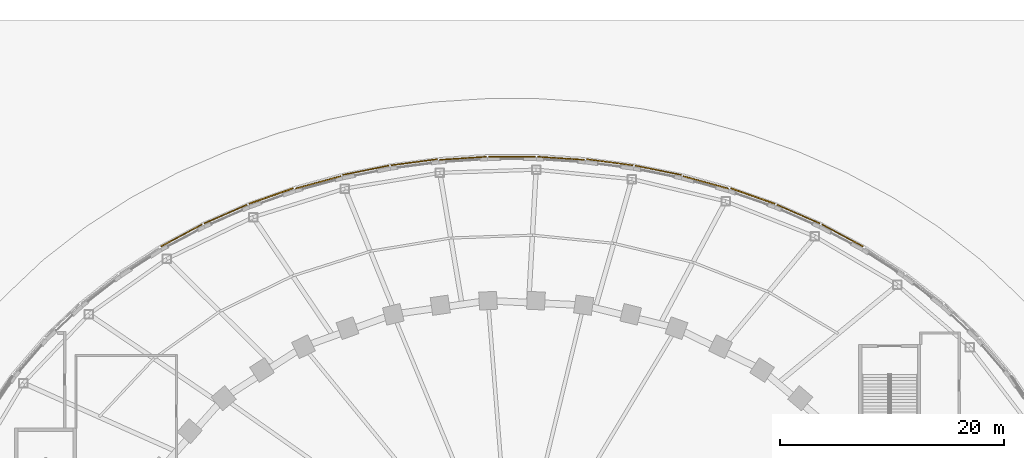
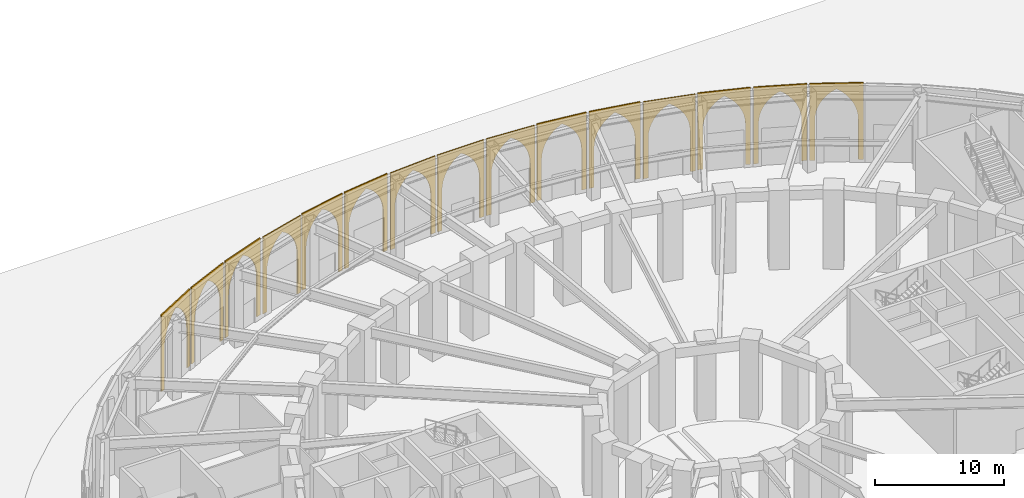
# One storey, part 76 of 79: 15 coverings.
"""IFC4 building model written with IfcOpenShell, lengths in metres."""

from ifc_helpers import new_model, si_unit, direction, frame, origin, place, context, subcontext, project, spatial, polyline, outline, extrude, material, layer, layer_set, type_object, element, save


model = new_model("IFC4")

# Units and contexts
model_context = context("Model", 3, precision=1e-05, world=origin(), true_north=direction((0.0, 1.0)))
body_context = subcontext(model_context, "Body", "Model", "MODEL_VIEW")
ifc_project = project(units=[si_unit("LENGTHUNIT", "METRE"), si_unit("AREAUNIT", "SQUARE_METRE"), si_unit("VOLUMEUNIT", "CUBIC_METRE"), si_unit("PLANEANGLEUNIT", "RADIAN"), si_unit("MASSUNIT", "GRAM", prefix="KILO")], contexts=[model_context])

# Site, building, storey
site_placement = place(None, origin())
site = spatial("IfcSite", under=ifc_project, at=site_placement, CompositionType="ELEMENT")
building_placement = place(site_placement, origin())
building = spatial("IfcBuilding", under=site, at=building_placement, Name="Noorbagh Ring Tower", CompositionType="ELEMENT")
storey_placement = place(building_placement, origin())
storey = spatial("IfcBuildingStorey", under=building, at=storey_placement, Name="L00", CompositionType="ELEMENT", Elevation=0.0)

# Coverings
ifc_material = material(Name="Red sandstone cladding", Category="masonry")
ifc_layer = layer(ifc_material, 0.10009765625)
ifc_layer_set = layer_set([ifc_layer], Name="Red sandstone cladding")
covering_type = type_object("IfcCoveringType", Name="STY-SPANDREL", PredefinedType="USERDEFINED", material=ifc_layer_set)
covering_1_placement = place(storey_placement, frame((31.381103515625, 31.71630859375, 0.0), z_axis=(-0.470845477426, -0.882215697055, 1.6049794e-05), x_axis=(-0.882215697168, 0.470845477487, -1.797e-09)))
element("IfcCovering", 1, at=covering_1_placement, inside=storey, type_object=covering_type, Name="Arch spandrel", ObjectType="ARCH", PredefinedType="USERDEFINED", context=body_context, shape_type="SweptSolid", body=[
    extrude(outline(polyline([(0.0, 0.0), (0.3998592640504345, -4.235164736271502e-22), (0.3998592572204401, -3.8000488276355613), (0.42891198957159066, -4.239013671245288), (0.5146484072297955, -4.67089843541508), (0.6560920189340561, -5.087402342817229), (0.8506146474156457, -5.482177733061225), (1.0952722985329229, -5.848144531027894), (1.3853688599561726, -6.178955080712083), (1.7163086515369037, -6.4689941426818836), (2.0822036849747194, -6.713623051072718), (2.4479837667827473, -6.468994143569481), (2.77903851191523, -6.17895508407108), (3.0691350745276407, -5.848144540090485), (3.313677774451302, -5.48217774094434), (3.508315356861138, -5.087402353497114), (3.649644017553448, -4.670898445049466), (3.735495389273296, -4.239013681537597), (3.7642177860015447, -3.8000488361478895), (3.764217792831539, -8.51232798832941e-09), (4.164407394082817, -1.012483756228621e-08), (4.164407381052074, -7.250000009191052), (-1.3030742923862515e-08, -7.2499999990662145), (0.0, 0.0)])), origin(), (0.0, 0.0, -1.0), 0.10009765625),
])
covering_2_placement = place(storey_placement, frame((27.510009765625, 33.77294921875, 0.0), z_axis=(-0.400515312206, -0.916290064662, 4.5723026e-05), x_axis=(-0.91629006562, 0.400515312624, -1.3606e-08)))
element("IfcCovering", 2, at=covering_2_placement, inside=storey, type_object=covering_type, Name="Arch spandrel", ObjectType="ARCH", PredefinedType="USERDEFINED", context=body_context, shape_type="SweptSolid", body=[
    extrude(outline(polyline([(0.0, 0.0), (0.40014788174863675, 0.0), (0.40014783004618554, -3.800048824152818), (0.42890357279275676, -4.2395019469635296), (0.5149471094676277, -4.671142570790398), (0.6561954649531542, -5.088134763194141), (0.8512367750262404, -5.48315429708244), (1.095807307303166, -5.849121094215106), (1.3859648150683277, -6.180419925862303), (1.7171240802399919, -6.470703129896183), (2.083259880881938, -6.715087904514719), (2.4492979061152056, -6.470703138164426), (2.7802334755566003, -6.180419941023019), (3.070614695966191, -5.849121112644979), (3.3152830202603556, -5.48315432702247), (3.5100028553944544, -5.088134793474707), (3.651698629485554, -4.671142602814515), (3.7375184742766976, -4.2395019820116175), (3.766274228981433, -3.8000488557410477), (3.7662742806838843, -3.158822990312793e-08), (4.166296240861966, -4.6285815097384846e-08), (4.166296142220399, -7.250000038707407), (-9.864156706906743e-08, -7.249999992421592), (0.0, 0.0)])), origin(), (0.0, 0.0, -1.0), 0.10009765625),
])
covering_3_placement = place(storey_placement, frame((23.489013671875, 35.521240234375, 0.0), z_axis=(-0.331354215224, -0.943506430319, 6.42242e-07), x_axis=(-0.943506430319, 0.331354215224, 2e-11)))
element("IfcCovering", 3, at=covering_3_placement, inside=storey, type_object=covering_type, Name="Arch spandrel", ObjectType="ARCH", PredefinedType="USERDEFINED", context=body_context, shape_type="SweptSolid", body=[
    extrude(outline(polyline([(0.0, 0.0), (0.40004547854975436, -1.3234889800848443e-23), (0.400045478624784, -3.800048828124216), (0.42876911832075176, -4.239501953126134), (0.5147096891415673, -4.6716308594340346), (0.65647275876353, -5.088867187488903), (0.8512818053654059, -5.483886718668488), (1.0958187136015953, -5.850097656181522), (1.3864541228517178, -6.181396484390757), (1.7176226466474604, -6.471679687430916), (2.084001589596148, -6.716552734255532), (2.4501501842855764, -6.47167968738221), (2.781318708069856, -6.181396484172487), (3.0717237690573063, -5.850097656183819), (3.316491025528624, -5.483886718645044), (3.511530420364491, -5.088867187272833), (3.653063141720388, -4.671630859129834), (3.739003712524139, -4.239501952937911), (3.7677273522027535, -3.800048827940012), (3.7677273521277237, 1.842043785733247e-10), (4.167772830677478, 1.842043785733247e-10), (4.167772830820625, -7.2499999998143), (1.4314678546260145e-10, -7.249999999998504), (0.0, 0.0)])), origin(), (0.0, 0.0, -1.0), 0.10009765625),
])
covering_4_placement = place(storey_placement, frame((19.348876953125, 36.966796875, 0.0), z_axis=(0.26341009615, 0.964683948886, 2.84788e-06), x_axis=(-0.96468394889, 0.263410096151, -5.08e-10)))
element("IfcCovering", 4, at=covering_4_placement, inside=storey, type_object=covering_type, Name="Arch spandrel", ObjectType="ARCH", PredefinedType="USERDEFINED", context=body_context, shape_type="SweptSolid", body=[
    extrude(outline(polyline([(0.0, 0.0), (0.4001363488115454, 0.0), (0.400136346882776, 3.80004882810959), (0.4287435241999418, 4.2397460936500835), (0.5147362660382098, 4.67211914112912), (0.6564659426062031, 5.089111328638883), (0.8513844411684086, 5.484619140733844), (1.0961084751525407, 5.850830078385079), (1.3868480300062858, 6.182128907151433), (1.7181644613818634, 6.472900391308899), (2.0845974070516813, 6.717529297999523), (2.450794834427619, 6.472900392008866), (2.782346784640577, 6.182128907601957), (3.0728508212884234, 5.850830079937734), (3.3176391647498127, 5.484619141921243), (3.5124933546080035, 5.089111329690106), (3.6541587224937917, 4.672119142873948), (3.7402157738764803, 4.239746095935795), (3.7691227792877102, 3.800048829742423), (3.76912278121648, 1.6328328666932154e-09), (4.16895930238031, 2.1202646577636204e-09), (4.168959298700469, 7.250000002090864), (-3.679841729121868e-09, 7.2499999999705995), (0.0, 0.0)])), origin(), (0.0, 0.0, -1.0), 0.10009765625),
])
covering_5_placement = place(storey_placement, frame((15.115966796875, 38.114990234375, 0.0), z_axis=(-0.19663082923, -0.980477595131, 4.9424863e-05), x_axis=(-0.980477596328, 0.19663082947, -8.201e-09)))
element("IfcCovering", 5, at=covering_5_placement, inside=storey, type_object=covering_type, Name="Arch spandrel", ObjectType="ARCH", PredefinedType="USERDEFINED", context=body_context, shape_type="SweptSolid", body=[
    extrude(outline(polyline([(0.0, 0.0), (0.40013247665749446, 4.235164736271502e-22), (0.40013244549221333, -3.800048823483588), (0.4290040020042229, -4.239990226317525), (0.514900555580995, -4.672119130515695), (0.6565772286391616, -5.089599598608531), (0.8515442659619292, -5.484863271274455), (1.0963064090982306, -5.8513183493420735), (1.3871290251798276, -6.182861317260103), (1.7185538548727175, -6.473388664240758), (2.0850746332552816, -6.718505852037728), (2.451595415658397, -6.473388665433474), (2.7830202501166816, -6.1828613256238345), (3.073603497223269, -5.851318359222468), (3.3183656463703746, -5.484863281935269), (3.5135720645896478, -5.089599609446044), (3.6552487444955672, -4.672119141058709), (3.7411453051603636, -4.239990233812489), (3.770016868888542, -3.8000488252211237), (3.770016900053823, -1.7375358715162421e-09), (4.169958007871752, -1.5939682889123583e-08), (4.16995794841244, -7.250000007084471), (-5.94593118272898e-08, -7.249999991144788), (0.0, 0.0)])), origin(), (0.0, 0.0, -1.0), 0.10009765625),
])
covering_6_placement = place(storey_placement, frame((10.813720703125, 38.969970703125, 0.0), z_axis=(-0.130543374072, -0.991442599022, 1.8168426e-05), x_axis=(-0.991442599186, 0.130543374094, 3.96e-10)))
element("IfcCovering", 6, at=covering_6_placement, inside=storey, type_object=covering_type, Name="Arch spandrel", ObjectType="ARCH", PredefinedType="USERDEFINED", context=body_context, shape_type="SweptSolid", body=[
    extrude(outline(polyline([(0.0, 0.0), (0.40015393206370253, 2.117582368135751e-22), (0.40015393356889783, -3.800048827497818), (0.4289520135078409, -4.239990231880954), (0.5148940210824587, -4.672363278857794), (0.6567378282698252, -5.089843748177569), (0.8515150761953555, -5.485107419245815), (1.096531328341609, -5.851806637786448), (1.3873340463984494, -6.183349604157048), (1.7188082796905582, -6.474121091747812), (2.0854695423632297, -6.718994138187282), (2.4518887534260965, -6.474121091536723), (2.783331115546915, -6.183349606075789), (3.073891781925291, -5.851806635634968), (3.3189399047219874, -5.485107421194327), (3.513959203750207, -5.089843748063906), (3.6558030106068466, -4.672363280021488), (3.7417450178389395, -4.23999023339105), (3.770543097429362, -3.8000488254194065), (3.7705430959241664, 2.0784115377448843e-09), (4.170454976572052, 1.4992708228018815e-09), (4.170454979443769, -7.249999997304148), (2.8717173427282656e-09, -7.2499999988034185), (0.0, 0.0)])), origin(), (0.0, 0.0, -1.0), 0.10009765625),
])
covering_7_placement = place(storey_placement, frame((6.463623046875, 39.535400390625, 0.0), z_axis=(0.065208271741, 0.997871675056, 3.7652784e-05), x_axis=(-0.997871675763, 0.065208271787, -3.602e-09)))
element("IfcCovering", 7, at=covering_7_placement, inside=storey, type_object=covering_type, Name="Arch spandrel", ObjectType="ARCH", PredefinedType="USERDEFINED", context=body_context, shape_type="SweptSolid", body=[
    extrude(outline(polyline([(0.0, 0.0), (0.4000237975962206, -2.117582368135751e-22), (0.40002378390840937, 3.8000488254312743), (0.42889842195126543, 4.2399902288223075), (0.5150191772590306, 4.672363275721825), (0.6566807027550726, 5.090087883807679), (0.8516744893479876, 5.4853515568555755), (1.0965739228672622, 5.852050780013461), (1.3874810671031896, 6.183593746806058), (1.7189884997903147, 6.474365237174397), (2.08549293761152, 6.719238284189996), (2.4522409982113853, 6.474365238403068), (2.7837484329932334, 6.183593760433642), (3.074411958603012, 5.85205078959597), (3.3193113947639947, 5.485351575773737), (3.514305184204397, 5.090087905632012), (3.6562103337243252, 4.6723632961603965), (3.7420874711323235, 4.239990249322593), (3.7709461923562957, 3.8000488500102976), (3.770946206044107, 2.457902320732442e-08), (4.170970003640328, 2.4579023207326112e-08), (4.17096997752576, 7.250000019439744), (-2.6114567458182038e-08, 7.249999994860721), (0.0, 0.0)])), origin(), (0.0, 0.0, -1.0), 0.10009765625),
])
covering_8_placement = place(storey_placement, frame((2.08544921875, 39.814208984375, 0.0), z_axis=(0.0, 1.0, 0.0), x_axis=(-1.0, 0.0, 0.0)))
element("IfcCovering", 8, at=covering_8_placement, inside=storey, type_object=covering_type, Name="Arch spandrel", ObjectType="ARCH", PredefinedType="USERDEFINED", context=body_context, shape_type="SweptSolid", body=[
    extrude(outline(polyline([(0.0, 0.0), (0.39990234375, 0.0), (0.39990234375, 3.800048828125), (0.4287109375, 4.239990234375), (0.514892578125, 4.672607421875), (0.656494140625, 5.090087890625), (0.8515625, 5.485595703125), (1.096435546875, 5.85205078125), (1.38720703125, 6.18359375), (1.71875, 6.474365234375), (2.08544921875, 6.719482421875), (2.4521484375, 6.474365234375), (2.78369140625, 6.18359375), (3.074462890625, 5.85205078125), (3.3193359375, 5.485595703125), (3.514404296875, 5.090087890625), (3.656005859375, 4.672607421875), (3.7421875, 4.239990234375), (3.77099609375, 3.800048828125), (3.77099609375, 0.0), (4.1708984375, 0.0), (4.1708984375, 7.25), (0.0, 7.25), (0.0, 0.0)])), origin(), (0.0, 0.0, -1.0), 0.10009765625),
])
covering_9_placement = place(storey_placement, frame((-2.301513671875, 39.80712890625, 0.0), z_axis=(-0.065208271741, 0.997871675056, 3.7652784e-05), x_axis=(-0.997871675763, -0.065208271787, 3.602e-09)))
element("IfcCovering", 9, at=covering_9_placement, inside=storey, type_object=covering_type, Name="Arch spandrel", ObjectType="ARCH", PredefinedType="USERDEFINED", context=body_context, shape_type="SweptSolid", body=[
    extrude(outline(polyline([(0.0, 0.0), (0.4000237975962206, 2.117582368135751e-22), (0.4000238112840318, 3.8000488254312743), (0.42888253250800473, 4.23999022474357), (0.5147596699160027, 4.672363271581373), (0.6566648194359314, 5.090087881052988), (0.851658608876333, 5.4853515511947135), (1.0965580450373156, 5.852050765016947), (1.3872215706470943, 6.183593735854619), (1.7187290054289424, 6.474365213824044), (2.0854770660288082, 6.7192382596109725), (2.4519815038500132, 6.474365212595374), (2.7834889365371382, 6.183593722227035), (3.074396080773066, 5.852050755434438), (3.3192955142923406, 5.485351532276552), (3.5142893008852556, 5.090087859228656), (3.6559508263812974, 4.6723632511428015), (3.7420715816890624, 4.239990204243284), (3.7709462197319183, 3.800048800852251), (3.770946206044107, -2.457902320732442e-08), (4.170970003640328, -2.4579023207326112e-08), (4.170970029754895, 7.2499999702816975), (2.6114567458182038e-08, 7.249999994860721), (0.0, 0.0)])), origin(), (0.0, 0.0, -1.0), 0.10009765625),
])
covering_10_placement = place(storey_placement, frame((-6.678955078125, 39.514404296875, 0.0), z_axis=(0.130543374072, -0.991442599022, 1.8168426e-05), x_axis=(-0.991442599186, -0.130543374094, -1.844e-09)))
element("IfcCovering", 10, at=covering_10_placement, inside=storey, type_object=covering_type, Name="Arch spandrel", ObjectType="ARCH", PredefinedType="USERDEFINED", context=body_context, shape_type="SweptSolid", body=[
    extrude(outline(polyline([(0.0, 0.0), (0.39991188064788574, -1.0587911840678754e-22), (0.3999118736395706, -3.800048827497818), (0.42870995259288264, -4.239990235511166), (0.5146519591988254, -4.672363282266062), (0.6564957654508817, -5.089843750513895), (0.8515150639066924, -5.485107423926737), (1.0965631861723455, -5.85180663872225), (1.3871238520705909, -6.1833496095838525), (1.7185662137703228, -6.474121095524771), (2.0849854244785715, -6.718994142705968), (2.4516466875058605, -6.474121096797486), (2.7831209212190564, -6.183349609686752), (3.0739236397560274, -5.851806643737286), (3.3189398924333244, -5.485107425551479), (3.5137171409312637, -5.089843754765302), (3.6555609487232137, -4.672363285650941), (3.7415029569239815, -4.23999023879856), (3.7703010375000345, -3.800048834457129), (3.77030104450835, -6.959310766933372e-09), (4.170454976572052, -7.538802013674786e-09), (4.170454963201096, -7.25000000634222), (-1.337095576457789e-08, -7.2499999988034185), (0.0, 0.0)])), origin(), (0.0, 0.0, -1.0), 0.10009765625),
])
covering_11_placement = place(storey_placement, frame((-11.02734375, 38.9345703125, 0.0), z_axis=(0.19663082923, -0.980477595131, 4.9424863e-05), x_axis=(-0.980477596328, -0.196630829472, -2.7309e-08)))
element("IfcCovering", 11, at=covering_11_placement, inside=storey, type_object=covering_type, Name="Arch spandrel", ObjectType="ARCH", PredefinedType="USERDEFINED", context=body_context, shape_type="SweptSolid", body=[
    extrude(outline(polyline([(0.0, 0.0), (0.39994110781792974, 8.470329472543003e-22), (0.39994100404121313, -3.800048823483586), (0.4288125521468103, -4.239990233100198), (0.5147090974664517, -4.672119143396655), (0.6563857625473899, -5.089599616815013), (0.8515921667306147, -5.484863296236133), (1.0963543028646825, -5.851318382214982), (1.3869375381979812, -6.182861358935132), (1.7183623623394668, -6.473388710513865), (2.0848831360383246, -6.718505910133491), (2.4514039231251457, -6.473388735351892), (2.782828763134835, -6.18286140014033), (3.0736513909897196, -5.851318442549585), (3.3184135471390594, -5.484863373173617), (3.5133805984978754, -5.0895997074310895), (3.655057286381022, -4.672119244369275), (3.7409538553029487, -4.239990343221345), (3.76982542743754, -3.800048941412654), (3.7698255312142566, -1.179290677305844e-07), (4.169958007871751, -1.3213801036969812e-07), (4.169957809879243, -7.2500001232827955), (-1.9799250730103128e-07, -7.249999991144785), (0.0, 0.0)])), origin(), (0.0, 0.0, -1.0), 0.10009765625),
])
covering_12_placement = place(storey_placement, frame((-15.3271484375, 38.06494140625, 0.0), z_axis=(-0.26341009615, 0.964683948886, 2.84788e-06), x_axis=(-0.96468394889, -0.263410096151, -7.12e-10)))
element("IfcCovering", 12, at=covering_12_placement, inside=storey, type_object=covering_type, Name="Arch spandrel", ObjectType="ARCH", PredefinedType="USERDEFINED", context=body_context, shape_type="SweptSolid", body=[
    extrude(outline(polyline([(0.0, 0.0), (0.3998365211638303, -1.0587911840678754e-22), (0.39983651846004487, 3.80004882810959), (0.42874352333524995, 4.2397460943382015), (0.5148005741908416, 4.672119141381264), (0.6564659415682841, 5.089111328370125), (0.8513201309443206, 5.484619140838804), (1.0961084739592704, 5.8508300791537105), (1.3866125102032374, 6.182128907172081), (1.718164460061722, 6.4729003919831785), (2.0843618871394387, 6.717529298420257), (2.450794833107478, 6.472900392176344), (2.782111264837529, 6.1821289084227775), (3.0728508200951525, 5.850830080010859), (3.3175748545257244, 5.4846191426579605), (3.5124933535700844, 5.089111330800621), (3.654223030646424, 4.672119143463637), (3.740215773011788, 4.239746096089433), (3.7688229508649793, 3.8000488305838136), (3.7688229535687645, 2.4742234023518346e-09), (4.16895930238031, 2.9620207066250503e-09), (4.168959297221838, 7.25000000293262), (-5.15847167696913e-09, 7.2499999999705995), (0.0, 0.0)])), origin(), (0.0, 0.0, -1.0), 0.10009765625),
])
covering_13_placement = place(storey_placement, frame((-19.556640625, 36.902099609375, 0.0), z_axis=(0.331354215224, -0.943506430319, 6.42242e-07), x_axis=(-0.943506430319, -0.331354215224, -2e-11)))
element("IfcCovering", 13, at=covering_13_placement, inside=storey, type_object=covering_type, Name="Arch spandrel", ObjectType="ARCH", PredefinedType="USERDEFINED", context=body_context, shape_type="SweptSolid", body=[
    extrude(outline(polyline([(0.0, 0.0), (0.40004547854975436, 1.3234889800848443e-23), (0.4000454784747247, -3.800048828124216), (0.428769118153339, -4.239501953122116), (0.5147096889570905, -4.671630859314038), (0.6562424103129874, -5.088867187457038), (0.851281805148854, -5.483886718829249), (1.096049061620172, -5.850097656368024), (1.386454122607622, -6.181396484356692), (1.7176226463919018, -6.471679687566414), (2.08377124108133, -6.716552734439737), (2.450150184030018, -6.47167968761512), (2.7813187078257604, -6.181396484574962), (3.0719541170758826, -5.850097656365727), (3.316491025312072, -5.483886718852693), (3.511300071913948, -5.088867187673107), (3.6530631415359105, -4.671630859618238), (3.7390037123567263, -4.239501953310339), (3.767727352052694, -3.8000488283084204), (3.7677273521277237, -1.842043785733247e-10), (4.167772830677478, -1.842043785733247e-10), (4.167772830534331, -7.250000000182709), (-1.4314678546260145e-10, -7.249999999998504), (0.0, 0.0)])), origin(), (0.0, 0.0, -1.0), 0.10009765625),
])
covering_14_placement = place(storey_placement, frame((-23.6923828125, 35.44140625, 0.0), z_axis=(0.400515312206, -0.916290064662, 4.5723026e-05), x_axis=(-0.916290065619, -0.400515312626, -2.3136e-08)))
element("IfcCovering", 14, at=covering_14_placement, inside=storey, type_object=covering_type, Name="Arch spandrel", ObjectType="ARCH", PredefinedType="USERDEFINED", context=body_context, shape_type="SweptSolid", body=[
    extrude(outline(polyline([(0.0, 0.0), (0.4000219601780815, -1.6940658945086007e-21), (0.40002187225934466, -3.800048824152817), (0.4287776108177171, -4.239501951479929), (0.5145974397495444, -4.671142575436015), (0.6562931985195386, -5.088134771302384), (0.8510130191398516, -5.483154312004533), (1.0956813299876846, -5.849121106616631), (1.3860625382247111, -6.180419945663842), (1.7169980970005359, -6.4707031549644665), (2.0830361132546313, -6.715087934763707), (2.44917192287575, -6.470703173597714), (2.7803311987129837, -6.18041998173127), (3.070488718650708, -5.849121160745025), (3.315059264373966, -5.483154372598357), (3.5101005889608388, -5.088134845876254), (3.65134895976747, -4.6711426586622515), (3.7373925123016574, -4.2395020379967905), (3.766148271194591, -3.8000489162426208), (3.766148359113328, -9.208980392519958e-08), (4.166296240861964, -1.0679201572298658e-07), (4.166296073124424, -7.250000099213607), (-1.6773753996676337e-07, -7.249999992421591), (0.0, 0.0)])), origin(), (0.0, 0.0, -1.0), 0.10009765625),
])
covering_15_placement = place(storey_placement, frame((-27.707275390625, 33.67724609375, 0.0), z_axis=(0.470845477426, -0.882215697055, 1.6049794e-05), x_axis=(-0.882215697168, -0.470845477487, -2.232e-09)))
element("IfcCovering", 15, at=covering_15_placement, inside=storey, type_object=covering_type, Name="Arch spandrel", ObjectType="ARCH", PredefinedType="USERDEFINED", context=body_context, shape_type="SweptSolid", body=[
    extrude(outline(polyline([(0.0, 0.0), (0.4001896012512781, 0.0), (0.40018959276949256, -3.8000488276355617), (0.428911987728992, -4.239013673141002), (0.5147633577086189, -4.670898436998798), (0.656092016722683, -5.087402346015911), (0.8507295975418252, -5.482177734247402), (1.0952722959908732, -5.848144534378899), (1.3853688572703275, -6.178955079528398), (1.7164236012341372, -6.46899414036074), (2.0822036820564667, -6.713623049337838), (2.4480987164799815, -6.4689941424213275), (2.779038509229385, -6.178955081785005), (3.069135071985591, -5.8481445332697195), (3.313792724577482, -5.482177736288865), (3.508315354649765, -5.0874023468286715), (3.6497589680322715, -4.670898439996451), (3.735495387430697, -4.239013676172122), (3.764548121550597, -3.800048832679459), (3.7645481300323826, -5.043897163242147e-09), (4.164407394082817, -6.655075688368492e-09), (4.1644073779006705, -7.250000005721291), (-1.6182146099530205e-08, -7.249999999066215), (0.0, 0.0)])), origin(), (0.0, 0.0, -1.0), 0.10009765625),
])

save(model, "model.ifc")
